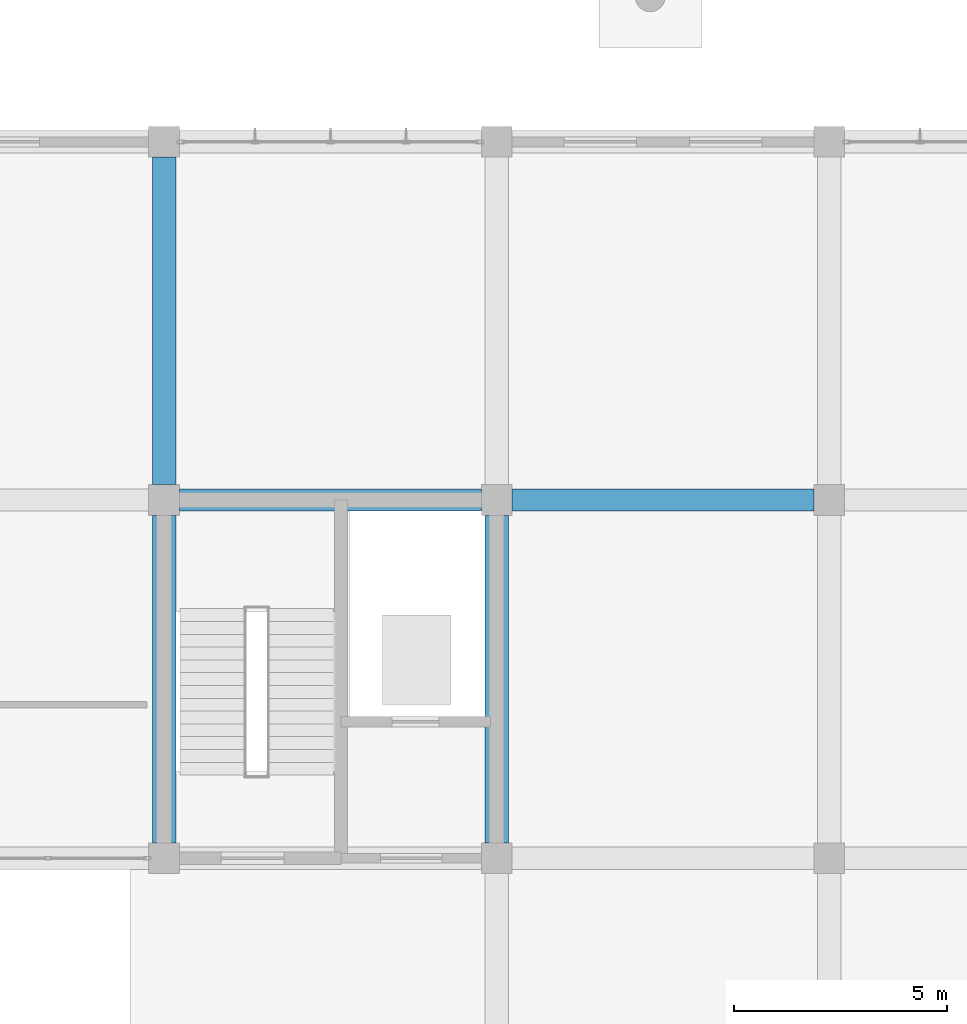
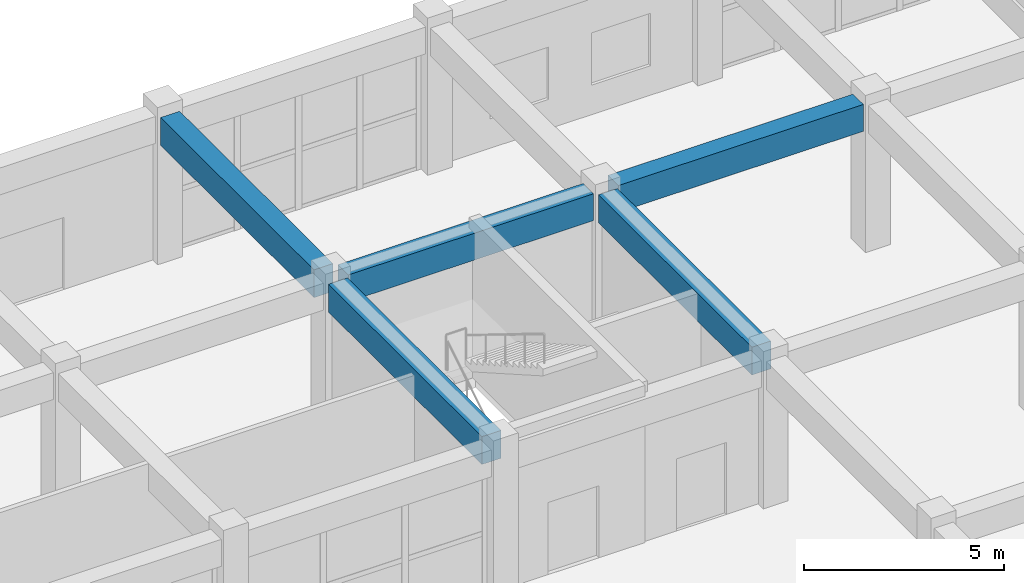
# One storey, part 88 of 139: 5 beams.
"""IFC4 building model written with IfcOpenShell, lengths in metres."""

from ifc_helpers import new_model, si_unit, direction, frame, origin, origin_2d, place, context, subcontext, project, spatial, rectangle, extrude, material, material_profile, profile_set, type_object, element, save


model = new_model("IFC4")

# Units and contexts
model_context = context("Model", 3, precision=1e-05, world=origin(), true_north=direction((0.0, 1.0)))
body_context = subcontext(model_context, "Body", "Model", "MODEL_VIEW")
ifc_project = project(units=[si_unit("LENGTHUNIT", "METRE"), si_unit("AREAUNIT", "SQUARE_METRE"), si_unit("VOLUMEUNIT", "CUBIC_METRE"), si_unit("PLANEANGLEUNIT", "RADIAN"), si_unit("MASSUNIT", "GRAM", prefix="KILO")], contexts=[model_context])

# Site, building, storey
site_placement = place(None, origin())
site = spatial("IfcSite", under=ifc_project, at=site_placement, CompositionType="ELEMENT")
building_placement = place(site_placement, origin())
building = spatial("IfcBuilding", under=site, at=building_placement, Name="Zizhar Promenade General Hospital", CompositionType="ELEMENT")
storey_placement = place(building_placement, origin())
storey = spatial("IfcBuildingStorey", under=building, at=storey_placement, Name="L00", CompositionType="ELEMENT", Elevation=0.0)

# Beams
ifc_material_1 = material(Name="Concrete C35/45", Category="concrete")
ifc_material_profile_1 = material_profile(ifc_material_1, rectangle(XDim=0.52001953125, YDim=0.820068359375, at=origin_2d()))
ifc_profile_set_1 = profile_set([ifc_material_profile_1], Name="Concrete C35/45")
beam_type_1 = type_object("IfcBeamType", Name="BM-RC-520x820", PredefinedType="BEAM", material=ifc_profile_set_1)
for number, where, z_axis, x_axis, name in (
    (1, (171.9599609375, 100.800048828125, 4.06005859375), (1.0, 0.0, 0.0), (0.0, 1.0, 0.0), "Grid Beam X L00 (22-12)"),
    (2, (179.760009765625, 100.800048828125, 4.06005859375), (1.0, 0.0, 0.0), (0.0, 1.0, 0.0), "Grid Beam X L00 (23-12)"),
):
    element("IfcBeam", number, at=place(storey_placement, frame(where, z_axis=z_axis, x_axis=x_axis)), inside=storey, type_object=beam_type_1, Name=name, PredefinedType="BEAM", context=body_context, shape_type="SweptSolid", body=[
        extrude(rectangle(XDim=0.52001953125, YDim=0.820068359375, at=origin_2d()), origin(), (0.0, 0.0, 1.0), 7.080078125),
    ])
ifc_material_2 = material(Name="Concrete C35/45", Category="concrete")
ifc_material_profile_2 = material_profile(ifc_material_2, rectangle(XDim=0.550048828125, YDim=0.85009765625, at=origin_2d()))
ifc_profile_set_2 = profile_set([ifc_material_profile_2], Name="Concrete C35/45")
beam_type_2 = type_object("IfcBeamType", Name="BM-RC-550x850", PredefinedType="BEAM", material=ifc_profile_set_2)
beam_1_placement = place(storey_placement, frame((171.60009765625, 92.760009765625, 4.044921875), z_axis=(0.0, 1.0, 0.0), x_axis=(-1.0, 0.0, 0.0)))
element("IfcBeam", 3, at=beam_1_placement, inside=storey, type_object=beam_type_2, Name="Grid Beam Y L00 (22-11)", PredefinedType="BEAM", context=body_context, shape_type="SweptSolid", body=[
    extrude(rectangle(XDim=0.550048828125, YDim=0.85009765625, at=origin_2d()), origin(), (0.0, 0.0, 1.0), 7.679931640625),
])
beam_2_placement = place(storey_placement, frame((171.60009765625, 101.159912109375, 4.044921875), z_axis=(0.0, 1.0, 0.0), x_axis=(-1.0, 0.0, 0.0)))
element("IfcBeam", 4, at=beam_2_placement, inside=storey, type_object=beam_type_2, Name="Grid Beam Y L00 (22-12)", PredefinedType="BEAM", context=body_context, shape_type="SweptSolid", body=[
    extrude(rectangle(XDim=0.550048828125, YDim=0.85009765625, at=origin_2d()), origin(), (0.0, 0.0, 1.0), 7.68017578125),
])
beam_3_placement = place(storey_placement, frame((179.39990234375, 92.760009765625, 4.044921875), z_axis=(0.0, 1.0, 0.0), x_axis=(-1.0, 0.0, 0.0)))
element("IfcBeam", 5, at=beam_3_placement, inside=storey, type_object=beam_type_2, Name="Grid Beam Y L00 (23-11)", PredefinedType="BEAM", context=body_context, shape_type="SweptSolid", body=[
    extrude(rectangle(XDim=0.550048828125, YDim=0.85009765625, at=origin_2d()), origin(), (0.0, 0.0, 1.0), 7.679931640625),
])

save(model, "model.ifc")
